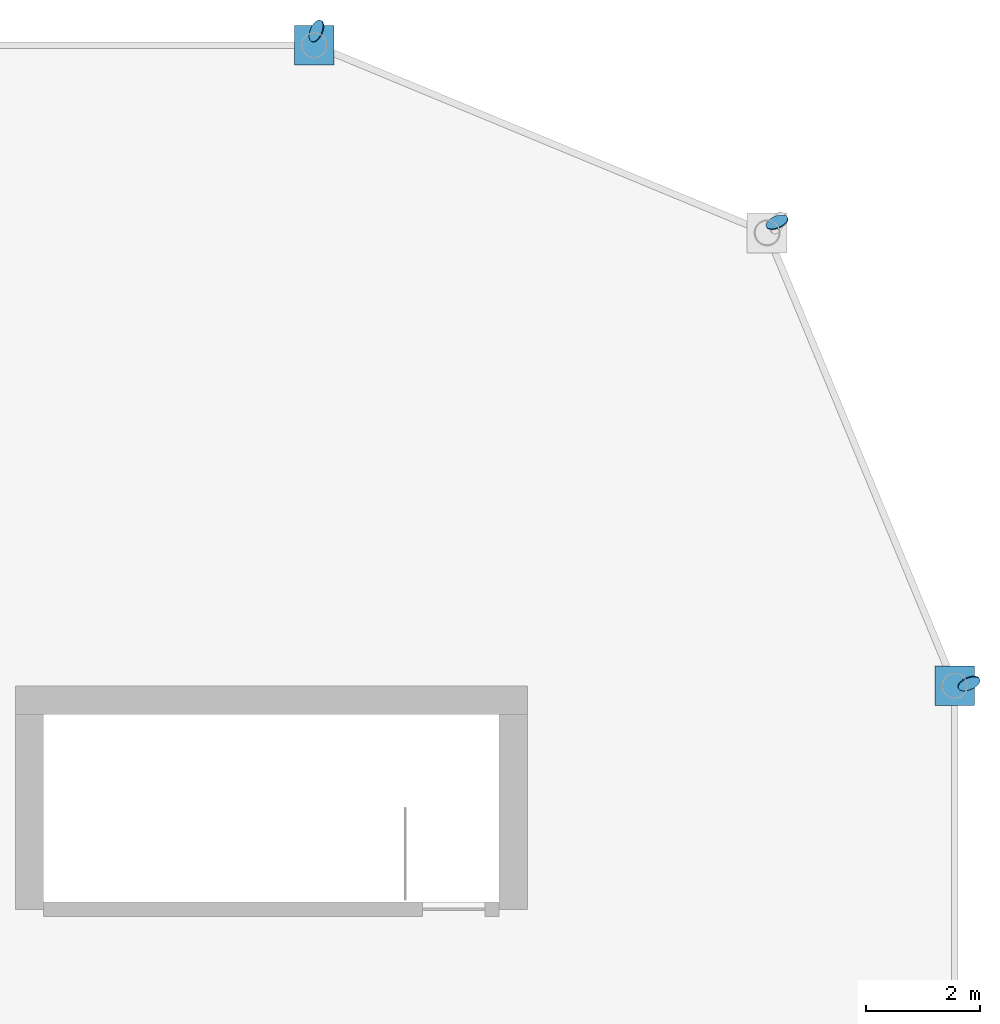
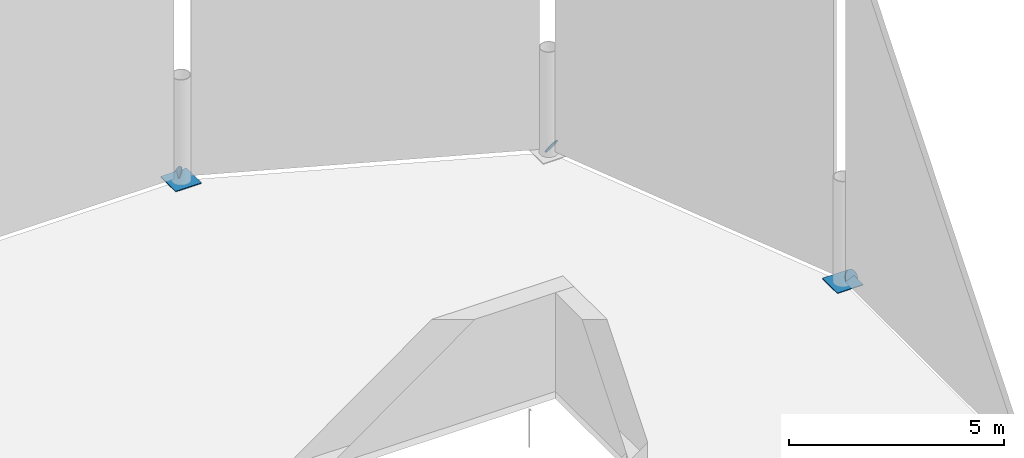
# One storey, part 7 of 8: 5 discrete accessories.
"""IFC4 building model written with IfcOpenShell, lengths in metres."""

import ifcopenshell
import ifcopenshell.guid

model = None  # the IFC model being written
_history = None  # IfcOwnerHistory: only IFC2X3 demands one
_inside = {}  # id of a spatial element -> (the spatial element, [elements in it])
_under = {}  # id of a project, library or spatial element -> (it, [spatial elements below it])
_declared = {}  # id of a project -> (the project, [libraries it declares])
_typed = {}  # id of a type object -> (the type object, [elements of that type])
_made_of = {}  # id of a material, layer set ... -> (it, [elements and type objects made of it])


def new_model(schema):
    """Start an empty IFC model of exactly this schema.

    Asked for "IFC4X3", IfcOpenShell would pick the latest addendum, in which some entities
    have other attributes; the version numbers below select the first issue.
    IFC2X3 requires an IfcOwnerHistory on every rooted entity: one is made here for all.
    """
    global model, _history
    if schema == "IFC4X3":
        model = ifcopenshell.file(schema_version=(4, 3, 0, 0))
    else:
        model = ifcopenshell.file(schema=schema)
    _inside.clear()
    _under.clear()
    _declared.clear()
    _typed.clear()
    _made_of.clear()
    _history = None
    if model.schema == "IFC2X3":
        org = make("IfcOrganization", Name="unknown")
        user = make(
            "IfcPersonAndOrganization",
            ThePerson=make("IfcPerson", FamilyName="unknown"),
            TheOrganization=org,
        )
        app = make(
            "IfcApplication",
            ApplicationDeveloper=org,
            Version="unknown",
            ApplicationFullName="unknown",
            ApplicationIdentifier="unknown",
        )
        _history = make(
            "IfcOwnerHistory",
            OwningUser=user,
            OwningApplication=app,
            ChangeAction="ADDED",
            CreationDate=0,
        )
    return model


def make(cls, **values):
    """One entity of the class cls with the attributes given. An attribute that is None is left unset."""
    return model.create_entity(
        cls, **{name: value for name, value in values.items() if value is not None}
    )


def rooted(cls, **values):
    """An entity with a GlobalId (a new one), such as an element, a storey or a relation."""
    return make(cls, GlobalId=ifcopenshell.guid.new(), OwnerHistory=_history, **values)


def si_unit(unit_type, name, prefix=None):
    """IfcSIUnit, for example si_unit("LENGTHUNIT", "METRE", prefix="MILLI")."""
    return make("IfcSIUnit", UnitType=unit_type, Prefix=prefix, Name=name)


def assignment(units):
    """IfcUnitAssignment: the units of a project."""
    return None if units is None else make("IfcUnitAssignment", Units=units)


def point(xyz):
    """IfcCartesianPoint."""
    return None if xyz is None else make("IfcCartesianPoint", Coordinates=xyz)


def direction(xyz):
    """IfcDirection."""
    return None if xyz is None else make("IfcDirection", DirectionRatios=xyz)


def frame(location, z_axis=None, x_axis=None):
    """IfcAxis2Placement3D, a coordinate frame: its origin and axes. An axis left out is left unset."""
    return make(
        "IfcAxis2Placement3D",
        Location=point(location),
        Axis=direction(z_axis),
        RefDirection=direction(x_axis),
    )


def frame_2d(location, x_axis=None):
    """IfcAxis2Placement2D, a coordinate frame in the plane: its origin and x axis."""
    return make(
        "IfcAxis2Placement2D", Location=point(location), RefDirection=direction(x_axis)
    )


def origin():
    """The frame at (0, 0, 0) with its axes left unset."""
    return frame((0.0, 0.0, 0.0))


def origin_2d():
    """The frame at (0, 0) in the plane with its x axis left unset."""
    return frame_2d((0.0, 0.0))


def place(relative_to, where):
    """IfcLocalPlacement: puts the frame where relative to a parent placement (None: the world)."""
    return make(
        "IfcLocalPlacement", PlacementRelTo=relative_to, RelativePlacement=where
    )


def context(
    kind, dimensions, precision=None, world=None, true_north=None, identifier=None
):
    """IfcGeometricRepresentationContext, for example the 3D "Model" context."""
    return make(
        "IfcGeometricRepresentationContext",
        ContextIdentifier=identifier,
        ContextType=kind,
        CoordinateSpaceDimension=dimensions,
        Precision=precision,
        WorldCoordinateSystem=world,
        TrueNorth=true_north,
    )


def subcontext(parent, identifier, kind, view, scale=None):
    """IfcGeometricRepresentationSubContext, for example "Body" below "Model"."""
    return make(
        "IfcGeometricRepresentationSubContext",
        ContextIdentifier=identifier,
        ContextType=kind,
        ParentContext=parent,
        TargetScale=scale,
        TargetView=view,
    )


def project(units=None, contexts=None):
    """IfcProject with its units and contexts."""
    return rooted(
        "IfcProject",
        Name="project",
        RepresentationContexts=contexts,
        UnitsInContext=assignment(units),
    )


def spatial(cls, under=None, at=None, **own):
    """A site, building, storey or space (cls), placed at a placement, below another one or the project."""
    s = rooted(cls, ObjectPlacement=at, **own)
    if under is not None:
        _under.setdefault(under.id(), (under, []))[1].append(s)
    return s


def profile(cls, at=None, kind="AREA", **sizes):
    """A parametric profile (cls). Its sizes go by their IFC names, for example OverallWidth=200.0."""
    return make(cls, ProfileType=kind, Position=at, **sizes)


def rectangle(**sizes):
    """IfcRectangleProfileDef."""
    return profile("IfcRectangleProfileDef", **sizes)


def circle(**sizes):
    """IfcCircleProfileDef."""
    return profile("IfcCircleProfileDef", **sizes)


def extrude(swept, where, along, depth):
    """IfcExtrudedAreaSolid: the profile swept, set in the frame where, extruded along a direction by depth."""
    return make(
        "IfcExtrudedAreaSolid",
        SweptArea=swept,
        Position=where,
        ExtrudedDirection=direction(along),
        Depth=depth,
    )


def shape(context_of_items, identifier, shape_type, items):
    """IfcShapeRepresentation: the items that make up one representation, for example the "Body"."""
    return make(
        "IfcShapeRepresentation",
        ContextOfItems=context_of_items,
        RepresentationIdentifier=identifier,
        RepresentationType=shape_type,
        Items=items,
    )


def material(Name=None, Category=None):
    """IfcMaterial."""
    return make("IfcMaterial", Name=Name, Category=Category)


def layer(
    of_material, thickness, ventilated=None, Name=None, Category=None, Priority=None
):
    """IfcMaterialLayer: one layer of a wall or slab, of a material (None: an air gap)."""
    return make(
        "IfcMaterialLayer",
        Material=of_material,
        LayerThickness=thickness,
        IsVentilated=ventilated,
        Name=Name,
        Category=Category,
        Priority=Priority,
    )


def layer_set(layers, Name=None):
    """IfcMaterialLayerSet."""
    return make("IfcMaterialLayerSet", MaterialLayers=layers, LayerSetName=Name)


def made_of(thing, what):
    """Note that an element or type object is made of a material, layer set ...; save() writes the relation."""
    if what is not None:
        _made_of.setdefault(what.id(), (what, []))[1].append(thing)
    return thing


def type_object(cls, material=None, **own):
    """A type object (cls), such as IfcWallType, which elements share."""
    return made_of(rooted(cls, **own), material)


def element(
    cls,
    number,
    at=None,
    inside=None,
    cuts=None,
    type_object=None,
    material=None,
    context=None,
    identifier="Body",
    shape_type=None,
    held_by="IfcProductDefinitionShape",
    body=None,
    shapes=None,
    **own,
):
    """One element of the class cls, such as IfcWall. Its Tag is "e" and its number.

    at: its placement. inside: the storey or other place that contains it. cuts: it is an
    opening in that element (IfcRelVoidsElement). A single representation is given by context,
    identifier, shape_type and body (its items); several are given by shapes. held_by: the class
    of the entity that holds the representations. save() writes the other relations.
    """
    e = rooted(cls, Tag="e%d" % number, ObjectPlacement=at, **own)
    if body is not None:
        shapes = [shape(context, identifier, shape_type, body)]
    if shapes is not None:
        e.Representation = make(held_by, Representations=shapes)
    if inside is not None:
        _inside.setdefault(inside.id(), (inside, []))[1].append(e)
    if cuts is not None:
        rooted(
            "IfcRelVoidsElement", RelatingBuildingElement=cuts, RelatedOpeningElement=e
        )
    if type_object is not None:
        _typed.setdefault(type_object.id(), (type_object, []))[1].append(e)
    return made_of(e, material)


def aggregate(whole, parts):
    """IfcRelAggregates: a whole, such as a stair, and the parts it consists of."""
    return rooted("IfcRelAggregates", RelatingObject=whole, RelatedObjects=parts)


def save(model, path):
    """Write the relations noted so far, then the file.

    IfcRelAggregates (storeys below a building ...), IfcRelContainedInSpatialStructure (elements
    in a storey), IfcRelDefinesByType, IfcRelAssociatesMaterial and IfcRelDeclares: one each for
    every whole, place, type object, material and project.
    """
    for whole, parts in _under.values():
        aggregate(whole, parts)
    for where, things in _inside.values():
        rooted(
            "IfcRelContainedInSpatialStructure",
            RelatedElements=things,
            RelatingStructure=where,
        )
    for kind, things in _typed.values():
        rooted("IfcRelDefinesByType", RelatedObjects=things, RelatingType=kind)
    for what, things in _made_of.values():
        rooted("IfcRelAssociatesMaterial", RelatedObjects=things, RelatingMaterial=what)
    for by, libraries in _declared.values():
        rooted("IfcRelDeclares", RelatingContext=by, RelatedDefinitions=libraries)
    model.write(path)


model = new_model("IFC4")

# Units and contexts
model_context = context("Model", 3, precision=1e-05, world=origin(), true_north=direction((0.0, 1.0)))
body_context = subcontext(model_context, "Body", "Model", "MODEL_VIEW")
ifc_project = project(units=[si_unit("LENGTHUNIT", "METRE"), si_unit("AREAUNIT", "SQUARE_METRE"), si_unit("VOLUMEUNIT", "CUBIC_METRE"), si_unit("PLANEANGLEUNIT", "RADIAN"), si_unit("MASSUNIT", "GRAM", prefix="KILO")], contexts=[model_context])

# Site, building, storey
site_placement = place(None, origin())
site = spatial("IfcSite", under=ifc_project, at=site_placement, CompositionType="ELEMENT")
building_placement = place(site_placement, origin())
building = spatial("IfcBuilding", under=site, at=building_placement, Name="Siwar Civic Tower", CompositionType="ELEMENT")
storey_placement = place(building_placement, frame((0.0, 0.0, 358.199951171875)))
storey = spatial("IfcBuildingStorey", under=building, at=storey_placement, Name="ROOF", CompositionType="ELEMENT", Elevation=358.199951171875)

# Discrete accessories
ifc_material = material(Name="Steel S355", Category="steel")
ifc_layer = layer(ifc_material, 0.02001953125)
ifc_layer_set = layer_set([ifc_layer], Name="Steel S355")
discrete_accessory_type = type_object("IfcDiscreteAccessoryType", Name="STR-END-CAP", PredefinedType="USERDEFINED", material=ifc_layer_set)
for number, where, z_axis, x_axis, name in (
    (1, (24.75, 13.5, 0.0), (0.0, 0.0, 1.0), (1.0, 0.0, 0.0), "End cap plate L76 col NE1-0"),
    (2, (13.5, 24.75, 0.0), (0.0, 0.0, 1.0), (1.0, 0.0, 0.0), "End cap plate L76 col N-0"),
):
    element("IfcDiscreteAccessory", number, at=place(storey_placement, frame(where, z_axis=z_axis, x_axis=x_axis)), inside=storey, type_object=discrete_accessory_type, Name=name, ObjectType="END CAP PLATE", PredefinedType="USERDEFINED", context=body_context, shape_type="SweptSolid", body=[
        extrude(rectangle(XDim=0.699951171875, YDim=0.699951171875, at=origin_2d()), origin(), (0.0, 0.0, 1.0), 0.02001953125),
    ])
discrete_accessory_1_placement = place(storey_placement, frame((13.548828125, 24.9951171875, 0.0), z_axis=(-0.799134556069, 0.339026781363, 0.49643207271), x_axis=(-0.390549846856, -0.920581781875, 0.0)))
element("IfcDiscreteAccessory", 3, at=discrete_accessory_1_placement, inside=storey, type_object=discrete_accessory_type, Name="End cap plate L76 brc DNE1-15-0-3", ObjectType="END CAP PLATE", PredefinedType="USERDEFINED", context=body_context, shape_type="SweptSolid", body=[
    extrude(circle(Radius=0.203125, at=origin_2d()), origin(), (0.0, 0.0, 1.0), 0.020263671875),
])
discrete_accessory_2_placement = place(storey_placement, frame((21.6318359375, 21.6318359375, 0.0), z_axis=(-0.34233000975, 0.794694665491, 0.501268942848), x_axis=(-0.918412615811, -0.395623896042, 0.0)))
element("IfcDiscreteAccessory", 4, at=discrete_accessory_2_placement, inside=storey, type_object=discrete_accessory_type, Name="End cap plate L76 brc DNE1-15-0-0", ObjectType="END CAP PLATE", PredefinedType="USERDEFINED", context=body_context, shape_type="SweptSolid", body=[
    extrude(circle(Radius=0.203125, at=origin_2d()), origin(), (0.0, 0.0, 1.0), 0.02001953125),
])
discrete_accessory_3_placement = place(storey_placement, frame((24.9951171875, 13.548828125, 0.0), z_axis=(0.339026781363, -0.799134556069, 0.49643207271), x_axis=(0.920581781875, 0.390549846856, 0.0)))
element("IfcDiscreteAccessory", 5, at=discrete_accessory_3_placement, inside=storey, type_object=discrete_accessory_type, Name="End cap plate L76 brc DNE1-15-0-5", ObjectType="END CAP PLATE", PredefinedType="USERDEFINED", context=body_context, shape_type="SweptSolid", body=[
    extrude(circle(Radius=0.203125, at=origin_2d()), origin(), (0.0, 0.0, 1.0), 0.020263671875),
])

save(model, "model.ifc")
